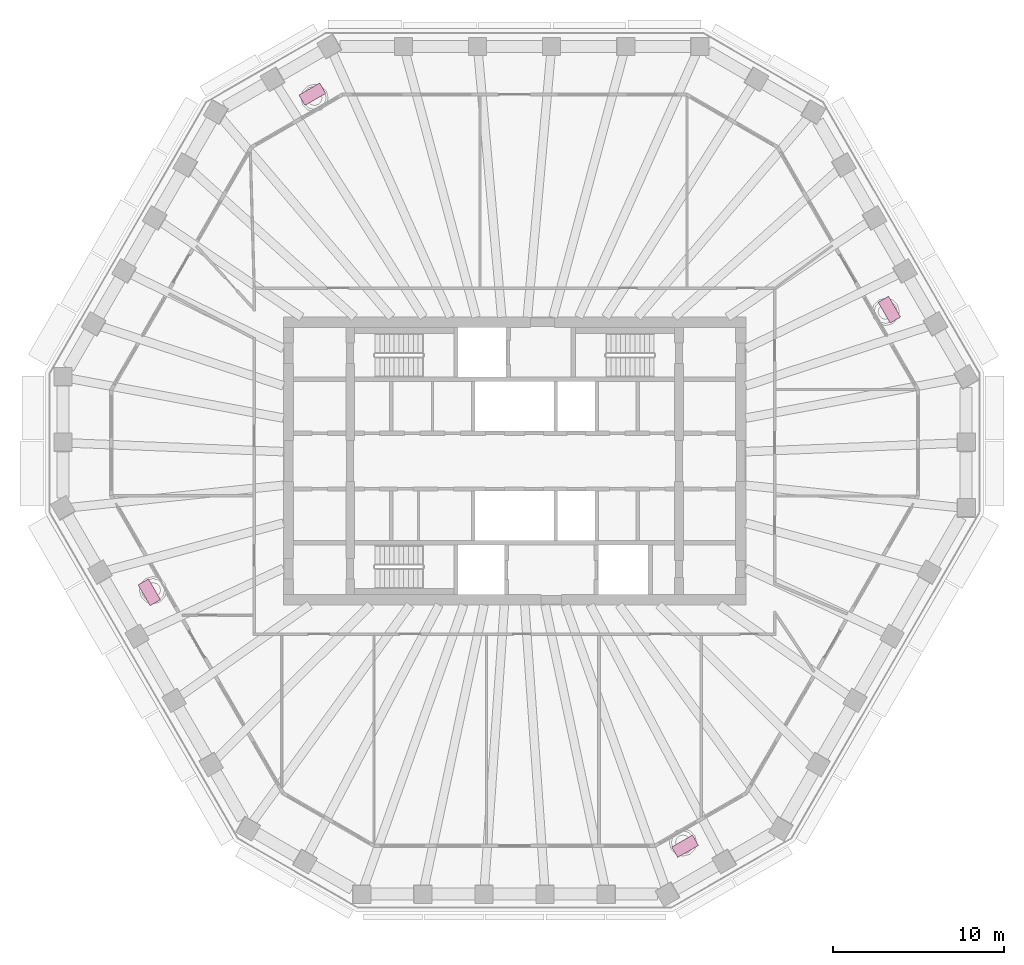
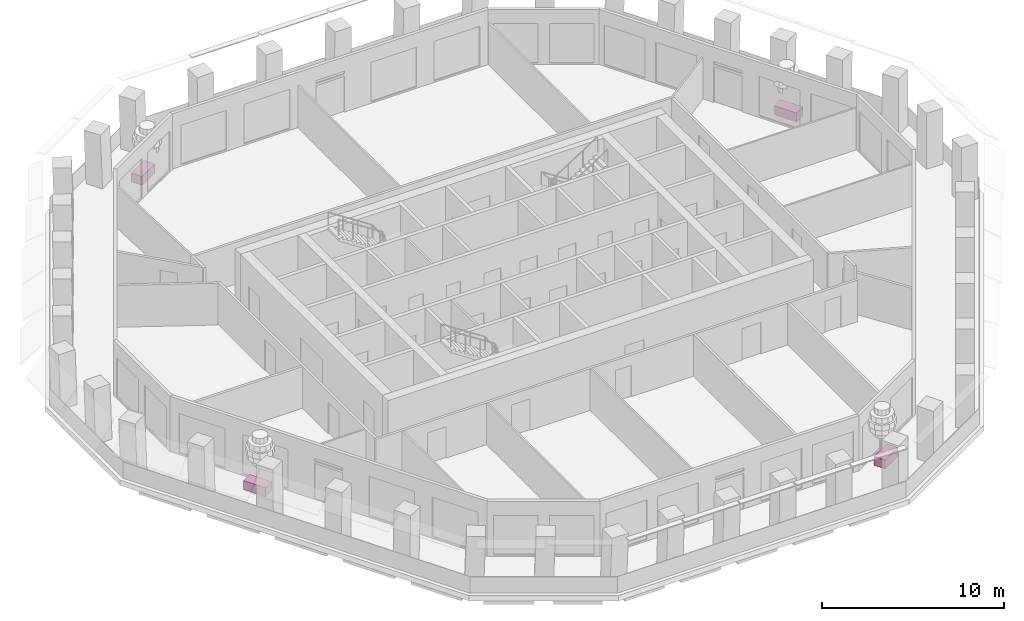
# One storey, part 11 of 12: 4 furniture elements.
"""IFC4 building model written with IfcOpenShell, lengths in metres."""

from ifc_helpers import new_model, si_unit, direction, frame, origin, origin_2d, place, context, subcontext, project, spatial, rectangle, extrude, material, type_object, element, save


model = new_model("IFC4")

# Units and contexts
model_context = context("Model", 3, precision=1e-05, world=origin(), true_north=direction((0.0, 1.0)))
body_context = subcontext(model_context, "Body", "Model", "MODEL_VIEW")
ifc_project = project(units=[si_unit("LENGTHUNIT", "METRE"), si_unit("AREAUNIT", "SQUARE_METRE"), si_unit("VOLUMEUNIT", "CUBIC_METRE"), si_unit("PLANEANGLEUNIT", "RADIAN"), si_unit("MASSUNIT", "GRAM", prefix="KILO")], contexts=[model_context])

# Site, building, storey
site_placement = place(None, origin())
site = spatial("IfcSite", under=ifc_project, at=site_placement, CompositionType="ELEMENT")
building_placement = place(site_placement, origin())
building = spatial("IfcBuilding", under=site, at=building_placement, Name="Frailejon Research Tower", CompositionType="ELEMENT")
storey_placement = place(building_placement, frame((0.0, 0.0, 245.39990234375)))
storey = spatial("IfcBuildingStorey", under=building, at=storey_placement, Name="L53", CompositionType="ELEMENT", Elevation=245.39990234375)

# Furniture
ifc_material = material(Name="Precast concrete C30/37 planter, terracotta", Category="masonry")
furniture_type = type_object("IfcFurnitureType", Name="Loggia planter 1400x700", AssemblyPlace="NOTDEFINED", PredefinedType="USERDEFINED", material=ifc_material)
for number, where, z_axis, x_axis, name in (
    (1, (21.88037109375, 8.839111328125, 0.0), (0.0, 0.0, 1.0), (-0.5, 0.866025403784, 0.0), "Planter L53"),
    (2, (-11.80712890625, 21.4169921875, 0.0), (0.0, 0.0, 1.0), (-0.866025403784, -0.5, 0.0), "Planter L53"),
    (3, (-21.3251953125, -7.663818359375, 0.0), (0.0, 0.0, 1.0), (0.5, -0.866025403784, 0.0), "Planter L53"),
    (4, (9.95654296875, -22.485595703125, 0.0), (0.0, 0.0, 1.0), (0.866025403784, 0.5, 0.0), "Planter L53"),
):
    element("IfcFurniture", number, at=place(storey_placement, frame(where, z_axis=z_axis, x_axis=x_axis)), inside=storey, type_object=furniture_type, Name=name, ObjectType="PLANTER", PredefinedType="USERDEFINED", context=body_context, shape_type="SweptSolid", body=[
        extrude(rectangle(XDim=1.39990234375, YDim=0.699951171875, at=origin_2d()), origin(), (0.0, 0.0, 1.0), 0.60009765625),
    ])

save(model, "model.ifc")
